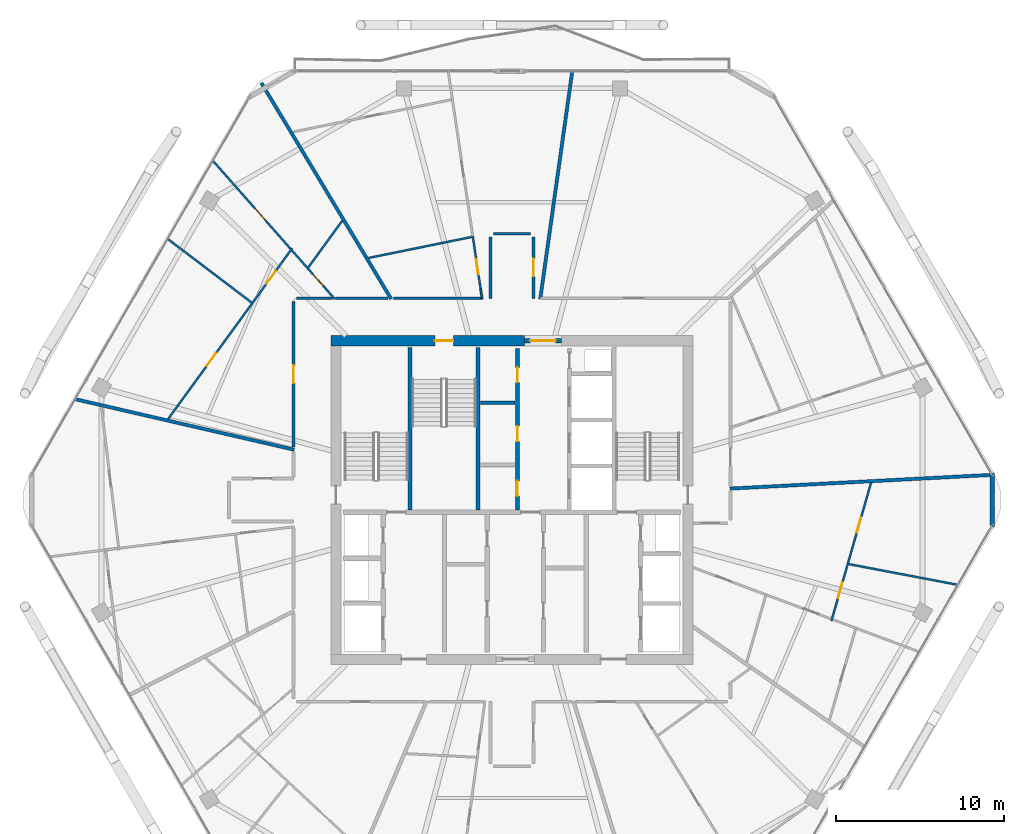
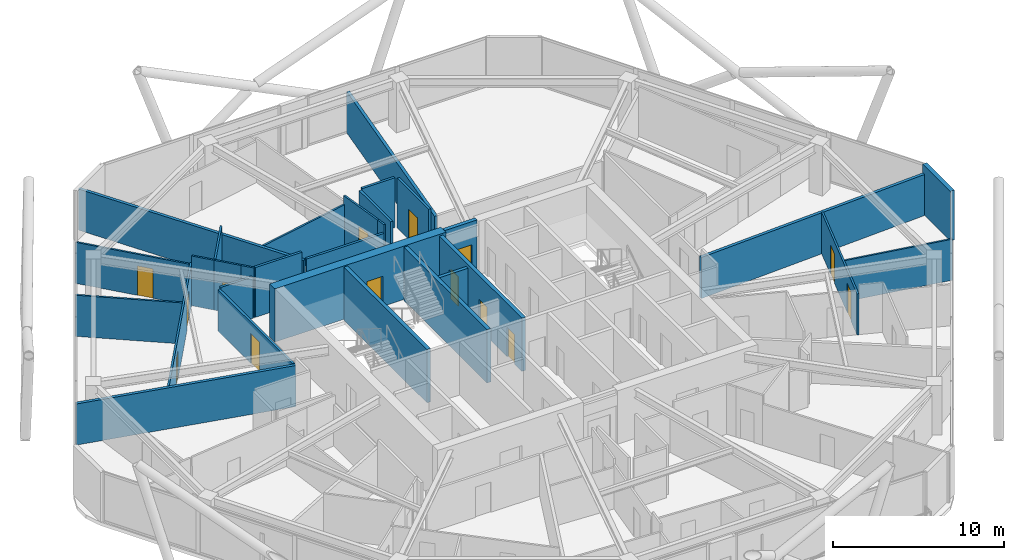
# One storey, part 23 of 28: 30 walls, 14 doors, 14 openings.
"""IFC4 building model written with IfcOpenShell, lengths in metres."""

from ifc_helpers import new_model, si_unit, direction, frame, frame_2d, origin, place, context, subcontext, project, spatial, rectangle, extrude, material, layer, layer_set, type_object, element, fill, save


model = new_model("IFC4")

# Units and contexts
model_context = context("Model", 3, precision=1e-05, world=origin(), true_north=direction((0.0, 1.0)))
body_context = subcontext(model_context, "Body", "Model", "MODEL_VIEW")
ifc_project = project(units=[si_unit("LENGTHUNIT", "METRE"), si_unit("AREAUNIT", "SQUARE_METRE"), si_unit("VOLUMEUNIT", "CUBIC_METRE"), si_unit("PLANEANGLEUNIT", "RADIAN"), si_unit("MASSUNIT", "GRAM", prefix="KILO")], contexts=[model_context])

# Site, building, storey
site_placement = place(None, origin())
site = spatial("IfcSite", under=ifc_project, at=site_placement, CompositionType="ELEMENT")
building_placement = place(site_placement, origin())
building = spatial("IfcBuilding", under=site, at=building_placement, Name="Zuhravey Tower", CompositionType="ELEMENT")
storey_placement = place(building_placement, frame((0.0, 0.0, 254.0)))
storey = spatial("IfcBuildingStorey", under=building, at=storey_placement, Name="L64", CompositionType="ELEMENT", Elevation=254.0)

# Wall, opening, door
ifc_material_1 = material(Name="Concrete C50/60", Category="concrete")
ifc_layer_1 = layer(ifc_material_1, 0.60009765625)
ifc_layer_set_1 = layer_set([ifc_layer_1], Name="Concrete C50/60")
wall_type_1 = type_object("IfcWallType", Name="Core Shear Wall 600", PredefinedType="SHEAR", material=ifc_layer_set_1)
wall_1_placement = place(storey_placement, frame((36.75, 41.5, 0.0), z_axis=(0.0, 0.0, 1.0), x_axis=(-1.0, 0.0, 0.0)))
wall_1 = element("IfcWall", 1, at=wall_1_placement, inside=storey, type_object=wall_type_1, Name="L64 North-West Core Shear Wall CW60", PredefinedType="SHEAR", context=body_context, shape_type="SweptSolid", body=[
    extrude(rectangle(XDim=11.550048828125, YDim=0.60009765625, at=frame_2d((5.77490234375, 0.0))), origin(), (0.0, 0.0, 1.0), 3.800048828125),
])
opening_1_placement = place(wall_1_placement, frame((4.25, 0.0, 0.0)))
opening_1 = element("IfcOpeningElement", 2, at=opening_1_placement, cuts=wall_1, Name="Opening STD1", PredefinedType="OPENING", context=body_context, shape_type="SweptSolid", body=[
    extrude(rectangle(XDim=1.10009765625, YDim=2.14990234375, at=frame_2d((0.550048828125, 1.074951171875))), frame((0.0, 0.31201171875, 0.0), z_axis=(0.0, -1.0, 0.0), x_axis=(1.0, 0.0, 0.0)), (0.0, 0.0, 1.0), 0.6240234375),
])
ifc_material_2 = material(Name="Galvanised fire-rated steel leaf", Category="steel")
door_type_1 = type_object("IfcDoorType", Name="Protected Stair Fire Door 1100x2150", OperationType="NOTDEFINED", PredefinedType="USERDEFINED", material=ifc_material_2)
door_1_placement = place(opening_1_placement, origin())
door_1 = element("IfcDoor", 3, at=door_1_placement, inside=storey, type_object=door_type_1, Name="L64 Stair ST3 Door", ObjectType="EXITDOOR", OperationType="SINGLE_SWING_LEFT", OverallHeight=2.14990234375, OverallWidth=1.10009765625, PredefinedType="USERDEFINED", context=body_context, shape_type="SweptSolid", body=[
    extrude(rectangle(XDim=1.10009765625, YDim=2.14990234375, at=frame_2d((0.550048828125, 1.074951171875))), frame((0.0, 0.02490234375, 0.0), z_axis=(0.0, -1.0, 0.0), x_axis=(1.0, 0.0, 0.0)), (0.0, 0.0, 1.0), 0.050048828125),
])
fill(opening_1, door_1)

ifc_material_3 = material(Name="Gypsum fire-rated stud partition")
ifc_layer_2 = layer(ifc_material_3, 0.159912109375)
ifc_layer_set_2 = layer_set([ifc_layer_2], Name="Gypsum fire-rated stud partition")
wall_type_2 = type_object("IfcWallType", Name="Corridor Fire Partition 160", PredefinedType="PARTITIONING", material=ifc_layer_set_2)
wall_2_placement = place(storey_placement, frame((22.969970703125, 43.85009765625, 0.0), z_axis=(0.0, 0.0, 1.0), x_axis=(0.0, -1.0, 0.0)))
wall_2 = element("IfcWall", 4, at=wall_2_placement, inside=storey, type_object=wall_type_2, Name="L64 IW16 Partition 024", PredefinedType="PARTITIONING", context=body_context, shape_type="SweptSolid", body=[
    extrude(rectangle(XDim=8.701416015625, YDim=0.159912109375, at=frame_2d((4.3505859375, 0.0))), origin(), (0.0, 0.0, 1.0), 2.949951171875),
])
opening_2_placement = place(wall_2_placement, frame((3.82568359375, 0.0, 0.0)))
opening_2 = element("IfcOpeningElement", 5, at=opening_2_placement, cuts=wall_2, Name="Opening APD1", PredefinedType="OPENING", context=body_context, shape_type="SweptSolid", body=[
    extrude(rectangle(XDim=1.050048828125, YDim=2.14990234375, at=frame_2d((0.52490234375, 1.074951171875))), frame((0.0, 0.092041015625, 0.0), z_axis=(0.0, -1.0, 0.0), x_axis=(1.0, 0.0, 0.0)), (0.0, 0.0, 1.0), 0.183837890625),
])
ifc_material_4 = material(Name="Solid-core oak fire-rated leaf")
door_type_2 = type_object("IfcDoorType", Name="Apartment Entrance Fire Door 1050x2150", OperationType="NOTDEFINED", PredefinedType="DOOR", material=ifc_material_4)
door_2_placement = place(opening_2_placement, frame((1.050048828125, 0.0, 0.0), z_axis=(0.0, 0.0, 1.0), x_axis=(-1.0, 0.0, 0.0)))
door_2 = element("IfcDoor", 6, at=door_2_placement, inside=storey, type_object=door_type_2, Name="L64 Door 024.1", OperationType="SINGLE_SWING_RIGHT", OverallHeight=2.14990234375, OverallWidth=1.050048828125, PredefinedType="DOOR", context=body_context, shape_type="SweptSolid", body=[
    extrude(rectangle(XDim=1.050048828125, YDim=2.14990234375, at=frame_2d((0.52490234375, 1.074951171875))), frame((0.0, 0.02490234375, 0.0), z_axis=(0.0, -1.0, 0.0), x_axis=(1.0, 0.0, 0.0)), (0.0, 0.0, 1.0), 0.050048828125),
])
fill(opening_2, door_2)

wall_3_placement = place(storey_placement, frame((37.280029296875, 44.030029296875, 0.0), z_axis=(0.0, 0.0, 1.0), x_axis=(0.0, 1.0, 0.0)))
wall_3 = element("IfcWall", 7, at=wall_3_placement, inside=storey, type_object=wall_type_2, Name="L64 IW16 Partition 060", PredefinedType="PARTITIONING", context=body_context, shape_type="SweptSolid", body=[
    extrude(rectangle(XDim=3.669921875, YDim=0.159912109375, at=frame_2d((1.8349609375, 0.0))), origin(), (0.0, 0.0, 1.0), 3.550048828125),
])
opening_3_placement = place(wall_3_placement, frame((1.31005859375, 0.0, 0.0)))
opening_3 = element("IfcOpeningElement", 8, at=opening_3_placement, cuts=wall_3, Name="Opening APD1", PredefinedType="OPENING", context=body_context, shape_type="SweptSolid", body=[
    extrude(rectangle(XDim=1.050048828125, YDim=2.14990234375, at=frame_2d((0.52490234375, 1.074951171875))), frame((0.0, 0.092041015625, 0.0), z_axis=(0.0, -1.0, 0.0), x_axis=(1.0, 0.0, 0.0)), (0.0, 0.0, 1.0), 0.183837890625),
])
door_3_placement = place(opening_3_placement, origin())
door_3 = element("IfcDoor", 9, at=door_3_placement, inside=storey, type_object=door_type_2, Name="L64 Door 060.1", OperationType="SINGLE_SWING_LEFT", OverallHeight=2.14990234375, OverallWidth=1.050048828125, PredefinedType="DOOR", context=body_context, shape_type="SweptSolid", body=[
    extrude(rectangle(XDim=1.050048828125, YDim=2.14990234375, at=frame_2d((0.52490234375, 1.074951171875))), frame((0.0, 0.02490234375, 0.0), z_axis=(0.0, -1.0, 0.0), x_axis=(1.0, 0.0, 0.0)), (0.0, 0.0, 1.0), 0.050048828125),
])
fill(opening_3, door_3)

# Walls
wall_4_placement = place(storey_placement, frame((25.303466796875, 44.030029296875, 0.0), z_axis=(0.0, 0.0, 1.0), x_axis=(-1.0, 0.0, 0.0)))
element("IfcWall", 10, at=wall_4_placement, inside=storey, type_object=wall_type_2, Name="L64 IW16 Partition 103", PredefinedType="PARTITIONING", context=body_context, shape_type="SweptSolid", body=[
    extrude(rectangle(XDim=2.153564453125, YDim=0.159912109375, at=frame_2d((1.07666015625, 0.0))), origin(), (0.0, 0.0, 1.0), 2.949951171875),
])
wall_5_placement = place(storey_placement, frame((28.6044921875, 44.030029296875, 0.0), z_axis=(0.0, 0.0, 1.0), x_axis=(-1.0, 0.0, 0.0)))
element("IfcWall", 11, at=wall_5_placement, inside=storey, type_object=wall_type_2, Name="L64 IW16 Partition 104", PredefinedType="PARTITIONING", context=body_context, shape_type="SweptSolid", body=[
    extrude(rectangle(XDim=3.11962890625, YDim=0.159912109375, at=frame_2d((1.559814453125, 0.0))), origin(), (0.0, 0.0, 1.0), 3.550048828125),
])
wall_6_placement = place(storey_placement, frame((34.719970703125, 47.699951171875, 0.0), z_axis=(0.0, 0.0, 1.0), x_axis=(0.0, -1.0, 0.0)))
element("IfcWall", 12, at=wall_6_placement, inside=storey, type_object=wall_type_2, Name="L64 IW16 Partition 120", PredefinedType="PARTITIONING", context=body_context, shape_type="SweptSolid", body=[
    extrude(rectangle(XDim=3.669921875, YDim=0.159912109375, at=frame_2d((1.8349609375, 0.0))), origin(), (0.0, 0.0, 1.0), 3.550048828125),
])
wall_7_placement = place(storey_placement, frame((37.10009765625, 47.8798828125, 0.0), z_axis=(0.0, 0.0, 1.0), x_axis=(-1.0, 0.0, 0.0)))
element("IfcWall", 13, at=wall_7_placement, inside=storey, type_object=wall_type_2, Name="L64 IW16 Partition 121", PredefinedType="PARTITIONING", context=body_context, shape_type="SweptSolid", body=[
    extrude(rectangle(XDim=2.2001953125, YDim=0.159912109375, at=frame_2d((1.10009765625, 0.0))), origin(), (0.0, 0.0, 1.0), 3.550048828125),
])
wall_8_placement = place(storey_placement, frame((34.141845703125, 44.030029296875, 0.0), z_axis=(0.0, 0.0, 1.0), x_axis=(-1.0, 0.0, 0.0)))
element("IfcWall", 14, at=wall_8_placement, inside=storey, type_object=wall_type_2, Name="L64 IW16 Partition 122", PredefinedType="PARTITIONING", context=body_context, shape_type="SweptSolid", body=[
    extrude(rectangle(XDim=5.204833984375, YDim=0.159912109375, at=frame_2d((2.6025390625, 0.0))), origin(), (0.0, 0.0, 1.0), 2.949951171875),
])
ifc_material_5 = material(Name="Precast concrete C40/50", Category="concrete")
ifc_layer_3 = layer(ifc_material_5, 0.280029296875)
ifc_layer_set_3 = layer_set([ifc_layer_3], Name="Precast concrete C40/50")
wall_type_3 = type_object("IfcWallType", Name="Crown Architectural Wall 280", PredefinedType="SOLIDWALL", material=ifc_layer_set_3)
wall_9_placement = place(storey_placement, frame((64.64501953125, 33.607421875, 0.0), z_axis=(0.0, 0.0, 1.0), x_axis=(0.0, -1.0, 0.0)))
element("IfcWall", 15, at=wall_9_placement, inside=storey, type_object=wall_type_3, Name="L64 Rounded Corner Closure Wall EW28-12", PredefinedType="SOLIDWALL", context=body_context, shape_type="SweptSolid", body=[
    extrude(rectangle(XDim=3.21484375, YDim=0.280029296875, at=frame_2d((1.607421875, 0.0))), origin(), (0.0, 0.0, 1.0), 3.550048828125),
])

# Wall, opening, door
ifc_layer_4 = layer(ifc_material_1, 0.25)
ifc_layer_set_4 = layer_set([ifc_layer_4], Name="Concrete C50/60")
wall_type_4 = type_object("IfcWallType", Name="Firefighting Shaft & Stair Wall 250", PredefinedType="SOLIDWALL", material=ifc_layer_set_4)
wall_10_placement = place(storey_placement, frame((36.760009765625, 41.5, 0.0), z_axis=(0.0, 0.0, 1.0), x_axis=(1.0, 0.0, 0.0)))
wall_10 = element("IfcWall", 16, at=wall_10_placement, inside=storey, type_object=wall_type_4, Name="L64 FW25 Shaft Wall 002", PredefinedType="SOLIDWALL", context=body_context, shape_type="SweptSolid", body=[
    extrude(rectangle(XDim=2.179931640625, YDim=0.25, at=frame_2d((1.08984375, 0.0))), origin(), (0.0, 0.0, 1.0), 3.800048828125),
])
opening_4_placement = place(wall_10_placement, frame((0.340087890625, 0.0, 0.0)))
opening_4 = element("IfcOpeningElement", 17, at=opening_4_placement, cuts=wall_10, Name="Opening FFD1", PredefinedType="OPENING", context=body_context, shape_type="SweptSolid", body=[
    extrude(rectangle(XDim=1.5, YDim=2.14990234375, at=frame_2d((0.75, 1.074951171875))), frame((0.0, 0.136962890625, 0.0), z_axis=(0.0, -1.0, 0.0), x_axis=(1.0, 0.0, 0.0)), (0.0, 0.0, 1.0), 0.27392578125),
])
door_type_3 = type_object("IfcDoorType", Name="Firefighting Lobby Double Door 1500x2150", OperationType="DOUBLE_DOOR_SINGLE_SWING", PredefinedType="DOOR", material=ifc_material_2)
door_4_placement = place(opening_4_placement, origin())
door_4 = element("IfcDoor", 18, at=door_4_placement, inside=storey, type_object=door_type_3, Name="L64 North Lift Lobby Exit Door", OperationType="DOUBLE_DOOR_SINGLE_SWING", OverallHeight=2.14990234375, OverallWidth=1.5, PredefinedType="DOOR", context=body_context, shape_type="SweptSolid", body=[
    extrude(rectangle(XDim=1.5, YDim=2.14990234375, at=frame_2d((0.75, 1.074951171875))), frame((0.0, 0.02490234375, 0.0), z_axis=(0.0, -1.0, 0.0), x_axis=(1.0, 0.0, 0.0)), (0.0, 0.0, 1.0), 0.050048828125),
])
fill(opening_4, door_4)

# Walls
for number, where, z_axis, x_axis, name in (
    (19, (29.925048828125, 31.39990234375, 0.0), (0.0, 0.0, 1.0), (0.0, 1.0, 0.0), "L64 FW25 Shaft Wall 004"),
    (20, (33.97509765625, 31.39990234375, 0.0), (0.0, 0.0, 1.0), (0.0, 1.0, 0.0), "L64 FW25 Shaft Wall 005"),
):
    element("IfcWall", number, at=place(storey_placement, frame(where, z_axis=z_axis, x_axis=x_axis)), inside=storey, type_object=wall_type_4, Name=name, PredefinedType="SOLIDWALL", context=body_context, shape_type="SweptSolid", body=[
        extrude(rectangle(XDim=9.7001953125, YDim=0.25, at=frame_2d((4.85009765625, 0.0))), origin(), (0.0, 0.0, 1.0), 3.800048828125),
    ])

# Wall, openings, doors
wall_11_placement = place(storey_placement, frame((36.324951171875, 31.39990234375, 0.0), z_axis=(0.0, 0.0, 1.0), x_axis=(0.0, 1.0, 0.0)))
wall_11 = element("IfcWall", 21, at=wall_11_placement, inside=storey, type_object=wall_type_4, Name="L64 FW25 Shaft Wall 007", PredefinedType="SOLIDWALL", context=body_context, shape_type="SweptSolid", body=[
    extrude(rectangle(XDim=9.650146484375, YDim=0.25, at=frame_2d((4.8251953125, 0.0))), origin(), (0.0, 0.0, 1.0), 3.800048828125),
])
opening_5_placement = place(wall_11_placement, frame((0.840087890625, 0.0, 0.0)))
opening_5 = element("IfcOpeningElement", 22, at=opening_5_placement, cuts=wall_11, Name="Opening RSD1", PredefinedType="OPENING", context=body_context, shape_type="SweptSolid", body=[
    extrude(rectangle(XDim=0.89990234375, YDim=2.10009765625, at=frame_2d((0.449951171875, 1.050048828125))), frame((0.0, 0.136962890625, 0.0), z_axis=(0.0, -1.0, 0.0), x_axis=(1.0, 0.0, 0.0)), (0.0, 0.0, 1.0), 0.27392578125),
])
opening_6_placement = place(wall_11_placement, frame((4.10009765625, 0.0, 0.0)))
opening_6 = element("IfcOpeningElement", 23, at=opening_6_placement, cuts=wall_11, Name="Opening RSD1", PredefinedType="OPENING", context=body_context, shape_type="SweptSolid", body=[
    extrude(rectangle(XDim=0.89990234375, YDim=2.10009765625, at=frame_2d((0.449951171875, 1.050048828125))), frame((0.0, 0.136962890625, 0.0), z_axis=(0.0, -1.0, 0.0), x_axis=(1.0, 0.0, 0.0)), (0.0, 0.0, 1.0), 0.27392578125),
])
opening_7_placement = place(wall_11_placement, frame((7.610107421875, 0.0, 0.0)))
opening_7 = element("IfcOpeningElement", 24, at=opening_7_placement, cuts=wall_11, Name="Opening RSD1", PredefinedType="OPENING", context=body_context, shape_type="SweptSolid", body=[
    extrude(rectangle(XDim=0.89990234375, YDim=2.10009765625, at=frame_2d((0.449951171875, 1.050048828125))), frame((0.0, 0.136962890625, 0.0), z_axis=(0.0, -1.0, 0.0), x_axis=(1.0, 0.0, 0.0)), (0.0, 0.0, 1.0), 0.27392578125),
])
ifc_material_6 = material(Name="Galvanised fire-rated steel access leaf", Category="steel")
door_type_4 = type_object("IfcDoorType", Name="Riser & Shaft Access Fire Door 900x2100", OperationType="NOTDEFINED", PredefinedType="DOOR", material=ifc_material_6)
door_5_placement = place(opening_5_placement, origin())
door_5 = element("IfcDoor", 25, at=door_5_placement, inside=storey, type_object=door_type_4, Name="L64 Core Staff WC Door", OperationType="SINGLE_SWING_LEFT", OverallHeight=2.10009765625, OverallWidth=0.89990234375, PredefinedType="DOOR", context=body_context, shape_type="SweptSolid", body=[
    extrude(rectangle(XDim=0.89990234375, YDim=2.10009765625, at=frame_2d((0.449951171875, 1.050048828125))), frame((0.0, 0.02490234375, 0.0), z_axis=(0.0, -1.0, 0.0), x_axis=(1.0, 0.0, 0.0)), (0.0, 0.0, 1.0), 0.050048828125),
])
fill(opening_5, door_5)
door_6_placement = place(opening_6_placement, origin())
door_6 = element("IfcDoor", 26, at=door_6_placement, inside=storey, type_object=door_type_4, Name="L64 IT and Comms Room Door", OperationType="SINGLE_SWING_RIGHT", OverallHeight=2.10009765625, OverallWidth=0.89990234375, PredefinedType="DOOR", context=body_context, shape_type="SweptSolid", body=[
    extrude(rectangle(XDim=0.89990234375, YDim=2.10009765625, at=frame_2d((0.449951171875, 1.050048828125))), frame((0.0, 0.02490234375, 0.0), z_axis=(0.0, -1.0, 0.0), x_axis=(1.0, 0.0, 0.0)), (0.0, 0.0, 1.0), 0.050048828125),
])
fill(opening_6, door_6)
door_7_placement = place(opening_7_placement, origin())
door_7 = element("IfcDoor", 27, at=door_7_placement, inside=storey, type_object=door_type_4, Name="L64 Janitor Linen Store Door", OperationType="SINGLE_SWING_LEFT", OverallHeight=2.10009765625, OverallWidth=0.89990234375, PredefinedType="DOOR", context=body_context, shape_type="SweptSolid", body=[
    extrude(rectangle(XDim=0.89990234375, YDim=2.10009765625, at=frame_2d((0.449951171875, 1.050048828125))), frame((0.0, 0.02490234375, 0.0), z_axis=(0.0, -1.0, 0.0), x_axis=(1.0, 0.0, 0.0)), (0.0, 0.0, 1.0), 0.050048828125),
])
fill(opening_7, door_7)

# Walls
ifc_material_7 = material(Name="Gypsum double-stud party assembly")
ifc_layer_5 = layer(ifc_material_7, 0.199951171875)
ifc_layer_set_5 = layer_set([ifc_layer_5], Name="Gypsum double-stud party assembly")
wall_type_5 = type_object("IfcWallType", Name="Inter-Tenancy Party Wall 200", PredefinedType="PARTITIONING", material=ifc_layer_set_5)
wall_12_placement = place(storey_placement, frame((28.795654296875, 43.989990234375, 0.0), z_axis=(0.0, 0.0, 1.0), x_axis=(-0.515040294727, 0.857165966898, 0.0)))
element("IfcWall", 28, at=wall_12_placement, inside=storey, type_object=wall_type_5, Name="L64 IW20 Partition 067", PredefinedType="PARTITIONING", context=body_context, shape_type="SweptSolid", body=[
    extrude(rectangle(XDim=15.02978515625, YDim=0.199951171875, at=frame_2d((7.514892578125, 0.0))), origin(), (0.0, 0.0, 1.0), 2.929931640625),
])
wall_13_placement = place(storey_placement, frame((23.010009765625, 34.9990234375, 0.0), z_axis=(0.0, 0.0, 1.0), x_axis=(-0.974372460803, 0.224940675799, 0.0)))
element("IfcWall", 29, at=wall_13_placement, inside=storey, type_object=wall_type_5, Name="L64 IW20 Partition 071", PredefinedType="PARTITIONING", context=body_context, shape_type="SweptSolid", body=[
    extrude(rectangle(XDim=13.39990234375, YDim=0.199951171875, at=frame_2d((6.699951171875, 0.0))), origin(), (0.0, 0.0, 1.0), 2.929931640625),
])
wall_14_placement = place(storey_placement, frame((48.989990234375, 32.680908203125, 0.0), z_axis=(0.0, 0.0, 1.0), x_axis=(0.998629458789, 0.052337405734, 0.0)))
element("IfcWall", 30, at=wall_14_placement, inside=storey, type_object=wall_type_5, Name="L64 IW20 Partition 094", PredefinedType="PARTITIONING", context=body_context, shape_type="SweptSolid", body=[
    extrude(rectangle(XDim=15.682861328125, YDim=0.199951171875, at=frame_2d((7.84130859375, 0.0))), origin(), (0.0, 0.0, 1.0), 2.929931640625),
])
wall_15_placement = place(storey_placement, frame((37.68505859375, 43.989990234375, 0.0), z_axis=(0.0, 0.0, 1.0), x_axis=(0.139176780606, 0.990267551594, 0.0)))
element("IfcWall", 31, at=wall_15_placement, inside=storey, type_object=wall_type_5, Name="L64 IW20 Partition 099", PredefinedType="PARTITIONING", context=body_context, shape_type="SweptSolid", body=[
    extrude(rectangle(XDim=13.70703125, YDim=0.199951171875, at=frame_2d((6.853515625, 0.0))), origin(), (0.0, 0.0, 1.0), 2.929931640625),
])
ifc_material_8 = material(Name="Gypsum acoustic stud assembly")
ifc_layer_6 = layer(ifc_material_8, 0.219970703125)
ifc_layer_set_6 = layer_set([ifc_layer_6], Name="Gypsum acoustic stud assembly")
wall_type_6 = type_object("IfcWallType", Name="School Acoustic Compartment Wall 220", PredefinedType="PARTITIONING", material=ifc_layer_set_6)
wall_16_placement = place(storey_placement, frame((34.10791015625, 37.800048828125, 0.0), z_axis=(0.0, 0.0, 1.0), x_axis=(1.0, 0.0, 0.0)))
element("IfcWall", 32, at=wall_16_placement, inside=storey, type_object=wall_type_6, Name="L64 IW22 Partition 062", PredefinedType="PARTITIONING", context=body_context, shape_type="SweptSolid", body=[
    extrude(rectangle(XDim=2.083984375, YDim=0.219970703125, at=frame_2d((1.0419921875, 0.0))), origin(), (0.0, 0.0, 1.0), 3.550048828125),
])

# Wall, openings, doors
ifc_material_9 = material(Name="Gypsum metal-stud partition")
ifc_layer_7 = layer(ifc_material_9, 0.1201171875)
ifc_layer_set_7 = layer_set([ifc_layer_7], Name="Gypsum metal-stud partition")
wall_type_7 = type_object("IfcWallType", Name="Unit Internal Partition 120", PredefinedType="PARTITIONING", material=ifc_layer_set_7)
wall_17_placement = place(storey_placement, frame((22.892822265625, 47.018310546875, 0.0), z_axis=(0.0, 0.0, 1.0), x_axis=(-0.587777700705, -0.80902248087, 0.0)))
wall_17 = element("IfcWall", 33, at=wall_17_placement, inside=storey, type_object=wall_type_7, Name="L64 IW12 Partition 020", PredefinedType="PARTITIONING", context=body_context, shape_type="SweptSolid", body=[
    extrude(rectangle(XDim=12.60302734375, YDim=0.1201171875, at=frame_2d((6.301513671875, 0.0))), origin(), (0.0, 0.0, 1.0), 2.949951171875),
])
opening_8_placement = place(wall_17_placement, frame((1.66845703125, 0.0, 0.0)))
opening_8 = element("IfcOpeningElement", 34, at=opening_8_placement, cuts=wall_17, Name="Opening IND1", PredefinedType="OPENING", context=body_context, shape_type="SweptSolid", body=[
    extrude(rectangle(XDim=0.949951171875, YDim=2.10009765625, at=frame_2d((0.47509765625, 1.050048828125))), frame((0.0, 0.072021484375, 0.0), z_axis=(0.0, -1.0, 0.0), x_axis=(1.0, 0.0, 0.0)), (0.0, 0.0, 1.0), 0.14404296875),
])
opening_9_placement = place(wall_17_placement, frame((7.72998046875, 0.0, 0.0)))
opening_9 = element("IfcOpeningElement", 35, at=opening_9_placement, cuts=wall_17, Name="Opening IND1", PredefinedType="OPENING", context=body_context, shape_type="SweptSolid", body=[
    extrude(rectangle(XDim=0.949951171875, YDim=2.10009765625, at=frame_2d((0.47509765625, 1.050048828125))), frame((0.0, 0.072021484375, 0.0), z_axis=(0.0, -1.0, 0.0), x_axis=(1.0, 0.0, 0.0)), (0.0, 0.0, 1.0), 0.14404296875),
])
ifc_material_10 = material(Name="Painted engineered timber leaf", Category="wood")
door_type_5 = type_object("IfcDoorType", Name="Internal Room & Bedroom Door 950x2100", OperationType="NOTDEFINED", PredefinedType="DOOR", material=ifc_material_10)
door_8_placement = place(opening_8_placement, frame((0.949951171875, 0.0, 0.0), z_axis=(0.0, 0.0, 1.0), x_axis=(-1.0, 0.0, 0.0)))
door_8 = element("IfcDoor", 36, at=door_8_placement, inside=storey, type_object=door_type_5, Name="Apartment L64-01 Family Study Door", OperationType="SINGLE_SWING_RIGHT", OverallHeight=2.10009765625, OverallWidth=0.949951171875, PredefinedType="DOOR", context=body_context, shape_type="SweptSolid", body=[
    extrude(rectangle(XDim=0.949951171875, YDim=2.10009765625, at=frame_2d((0.47509765625, 1.050048828125))), frame((0.0, 0.02490234375, 0.0), z_axis=(0.0, -1.0, 0.0), x_axis=(1.0, 0.0, 0.0)), (0.0, 0.0, 1.0), 0.050048828125),
])
fill(opening_8, door_8)
door_9_placement = place(opening_9_placement, frame((0.949951171875, 0.0, 0.0), z_axis=(0.0, 0.0, 1.0), x_axis=(-1.0, 0.0, 0.0)))
door_9 = element("IfcDoor", 37, at=door_9_placement, inside=storey, type_object=door_type_5, Name="Apartment L64-01 Dining Room Door", OperationType="SINGLE_SWING_LEFT", OverallHeight=2.10009765625, OverallWidth=0.949951171875, PredefinedType="DOOR", context=body_context, shape_type="SweptSolid", body=[
    extrude(rectangle(XDim=0.949951171875, YDim=2.10009765625, at=frame_2d((0.47509765625, 1.050048828125))), frame((0.0, 0.02490234375, 0.0), z_axis=(0.0, -1.0, 0.0), x_axis=(1.0, 0.0, 0.0)), (0.0, 0.0, 1.0), 0.050048828125),
])
fill(opening_9, door_9)

# Wall, opening, door
wall_18_placement = place(storey_placement, frame((24.8916015625, 44.60009765625, 0.0), z_axis=(0.0, 0.0, 1.0), x_axis=(-0.661313728026, 0.750109427433, 0.0)))
wall_18 = element("IfcWall", 38, at=wall_18_placement, inside=storey, type_object=wall_type_7, Name="L64 IW12 Partition 021", PredefinedType="PARTITIONING", context=body_context, shape_type="SweptSolid", body=[
    extrude(rectangle(XDim=1.65234375, YDim=0.1201171875, at=frame_2d((0.826171875, 0.0))), origin(), (0.0, 0.0, 1.0), 3.550048828125),
])
opening_10_placement = place(wall_18_placement, frame((0.244140625, 0.0, 0.0)))
opening_10 = element("IfcOpeningElement", 39, at=opening_10_placement, cuts=wall_18, Name="Opening WCD1", PredefinedType="OPENING", context=body_context, shape_type="SweptSolid", body=[
    extrude(rectangle(XDim=0.89990234375, YDim=2.10009765625, at=frame_2d((0.449951171875, 1.050048828125))), frame((0.0, 0.072021484375, 0.0), z_axis=(0.0, -1.0, 0.0), x_axis=(1.0, 0.0, 0.0)), (0.0, 0.0, 1.0), 0.14404296875),
])
ifc_material_11 = material(Name="Moisture-resistant timber leaf", Category="wood")
door_type_6 = type_object("IfcDoorType", Name="Bathroom & WC Internal Door 900x2100", OperationType="NOTDEFINED", PredefinedType="DOOR", material=ifc_material_11)
door_10_placement = place(opening_10_placement, frame((0.89990234375, 0.0, 0.0), z_axis=(0.0, 0.0, 1.0), x_axis=(-1.0, 0.0, 0.0)))
door_10 = element("IfcDoor", 40, at=door_10_placement, inside=storey, type_object=door_type_6, Name="Apartment L64-01 Bathroom Door", OperationType="SINGLE_SWING_RIGHT", OverallHeight=2.10009765625, OverallWidth=0.89990234375, PredefinedType="DOOR", context=body_context, shape_type="SweptSolid", body=[
    extrude(rectangle(XDim=0.89990234375, YDim=2.10009765625, at=frame_2d((0.449951171875, 1.050048828125))), frame((0.0, 0.02490234375, 0.0), z_axis=(0.0, -1.0, 0.0), x_axis=(1.0, 0.0, 0.0)), (0.0, 0.0, 1.0), 0.050048828125),
])
fill(opening_10, door_10)

# Wall
wall_19_placement = place(storey_placement, frame((23.798583984375, 45.839599609375, 0.0), z_axis=(0.0, 0.0, 1.0), x_axis=(-0.661308126209, 0.750114366087, 0.0)))
element("IfcWall", 41, at=wall_19_placement, inside=storey, type_object=wall_type_7, Name="L64 IW12 Partition 022", PredefinedType="PARTITIONING", context=body_context, shape_type="SweptSolid", body=[
    extrude(rectangle(XDim=1.39111328125, YDim=0.1201171875, at=frame_2d((0.695556640625, 0.0))), origin(), (0.0, 0.0, 1.0), 3.550048828125),
])

# Wall, opening, door
wall_20_placement = place(storey_placement, frame((22.78662109375, 46.987548828125, 0.0), z_axis=(0.0, 0.0, 1.0), x_axis=(-0.661313472819, 0.750109652429, 0.0)))
wall_20 = element("IfcWall", 42, at=wall_20_placement, inside=storey, type_object=wall_type_7, Name="L64 IW12 Partition 023", PredefinedType="PARTITIONING", context=body_context, shape_type="SweptSolid", body=[
    extrude(rectangle(XDim=6.997314453125, YDim=0.1201171875, at=frame_2d((3.49853515625, 0.0))), origin(), (0.0, 0.0, 1.0), 2.929931640625),
])
opening_11_placement = place(wall_20_placement, frame((2.23291015625, 0.0, 0.0)))
opening_11 = element("IfcOpeningElement", 43, at=opening_11_placement, cuts=wall_20, Name="Opening IND1", PredefinedType="OPENING", context=body_context, shape_type="SweptSolid", body=[
    extrude(rectangle(XDim=0.949951171875, YDim=2.10009765625, at=frame_2d((0.47509765625, 1.050048828125))), frame((0.0, 0.072021484375, 0.0), z_axis=(0.0, -1.0, 0.0), x_axis=(1.0, 0.0, 0.0)), (0.0, 0.0, 1.0), 0.14404296875),
])
door_11_placement = place(opening_11_placement, frame((0.949951171875, 0.0, 0.0), z_axis=(0.0, 0.0, 1.0), x_axis=(-1.0, 0.0, 0.0)))
door_11 = element("IfcDoor", 44, at=door_11_placement, inside=storey, type_object=door_type_5, Name="Apartment L64-01 Bedroom 1 Door", OperationType="SINGLE_SWING_LEFT", OverallHeight=2.10009765625, OverallWidth=0.949951171875, PredefinedType="DOOR", context=body_context, shape_type="SweptSolid", body=[
    extrude(rectangle(XDim=0.949951171875, YDim=2.10009765625, at=frame_2d((0.47509765625, 1.050048828125))), frame((0.0, 0.02490234375, 0.0), z_axis=(0.0, -1.0, 0.0), x_axis=(1.0, 0.0, 0.0)), (0.0, 0.0, 1.0), 0.050048828125),
])
fill(opening_11, door_11)

# Wall, openings, doors
wall_21_placement = place(storey_placement, frame((55.05126953125, 24.793212890625, 0.0), z_axis=(0.0, 0.0, 1.0), x_axis=(0.275631107549, 0.961263487578, 0.0)))
wall_21 = element("IfcWall", 45, at=wall_21_placement, inside=storey, type_object=wall_type_7, Name="L64 IW12 Partition 046", PredefinedType="PARTITIONING", context=body_context, shape_type="SweptSolid", body=[
    extrude(rectangle(XDim=8.573974609375, YDim=0.1201171875, at=frame_2d((4.287109375, 0.0))), origin(), (0.0, 0.0, 1.0), 2.949951171875),
])
opening_12_placement = place(wall_21_placement, frame((1.41259765625, 0.0, 0.0)))
opening_12 = element("IfcOpeningElement", 46, at=opening_12_placement, cuts=wall_21, Name="Opening IND1", PredefinedType="OPENING", context=body_context, shape_type="SweptSolid", body=[
    extrude(rectangle(XDim=0.949951171875, YDim=2.10009765625, at=frame_2d((0.47509765625, 1.050048828125))), frame((0.0, 0.072021484375, 0.0), z_axis=(0.0, -1.0, 0.0), x_axis=(1.0, 0.0, 0.0)), (0.0, 0.0, 1.0), 0.14404296875),
])
opening_13_placement = place(wall_21_placement, frame((5.458984375, 0.0, 0.0)))
opening_13 = element("IfcOpeningElement", 47, at=opening_13_placement, cuts=wall_21, Name="Opening IND1", PredefinedType="OPENING", context=body_context, shape_type="SweptSolid", body=[
    extrude(rectangle(XDim=0.949951171875, YDim=2.10009765625, at=frame_2d((0.47509765625, 1.050048828125))), frame((0.0, 0.072021484375, 0.0), z_axis=(0.0, -1.0, 0.0), x_axis=(1.0, 0.0, 0.0)), (0.0, 0.0, 1.0), 0.14404296875),
])
door_12_placement = place(opening_12_placement, frame((0.949951171875, 0.0, 0.0), z_axis=(0.0, 0.0, 1.0), x_axis=(-1.0, 0.0, 0.0)))
door_12 = element("IfcDoor", 48, at=door_12_placement, inside=storey, type_object=door_type_5, Name="Apartment L64-06 Family Study Door", OperationType="SINGLE_SWING_LEFT", OverallHeight=2.10009765625, OverallWidth=0.949951171875, PredefinedType="DOOR", context=body_context, shape_type="SweptSolid", body=[
    extrude(rectangle(XDim=0.949951171875, YDim=2.10009765625, at=frame_2d((0.47509765625, 1.050048828125))), frame((0.0, 0.02490234375, 0.0), z_axis=(0.0, -1.0, 0.0), x_axis=(1.0, 0.0, 0.0)), (0.0, 0.0, 1.0), 0.050048828125),
])
fill(opening_12, door_12)
door_13_placement = place(opening_13_placement, frame((0.949951171875, 0.0, 0.0), z_axis=(0.0, 0.0, 1.0), x_axis=(-1.0, 0.0, 0.0)))
door_13 = element("IfcDoor", 49, at=door_13_placement, inside=storey, type_object=door_type_5, Name="Apartment L64-06 Dining Room Door", OperationType="SINGLE_SWING_RIGHT", OverallHeight=2.10009765625, OverallWidth=0.949951171875, PredefinedType="DOOR", context=body_context, shape_type="SweptSolid", body=[
    extrude(rectangle(XDim=0.949951171875, YDim=2.10009765625, at=frame_2d((0.47509765625, 1.050048828125))), frame((0.0, 0.02490234375, 0.0), z_axis=(0.0, -1.0, 0.0), x_axis=(1.0, 0.0, 0.0)), (0.0, 0.0, 1.0), 0.050048828125),
])
fill(opening_13, door_13)

# Wall, opening, door
wall_22_placement = place(storey_placement, frame((34.1259765625, 44.60009765625, 0.0), z_axis=(0.0, 0.0, 1.0), x_axis=(-0.147116797121, 0.989119127307, 0.0)))
wall_22 = element("IfcWall", 50, at=wall_22_placement, inside=storey, type_object=wall_type_7, Name="L64 IW12 Partition 057", PredefinedType="PARTITIONING", context=body_context, shape_type="SweptSolid", body=[
    extrude(rectangle(XDim=3.161376953125, YDim=0.1201171875, at=frame_2d((1.58056640625, 0.0))), origin(), (0.0, 0.0, 1.0), 3.550048828125),
])
opening_14_placement = place(wall_22_placement, frame((0.877685546875, 0.0, 0.0)))
opening_14 = element("IfcOpeningElement", 51, at=opening_14_placement, cuts=wall_22, Name="Opening WCD1", PredefinedType="OPENING", context=body_context, shape_type="SweptSolid", body=[
    extrude(rectangle(XDim=0.89990234375, YDim=2.10009765625, at=frame_2d((0.449951171875, 1.050048828125))), frame((0.0, 0.072021484375, 0.0), z_axis=(0.0, -1.0, 0.0), x_axis=(1.0, 0.0, 0.0)), (0.0, 0.0, 1.0), 0.14404296875),
])
door_14_placement = place(opening_14_placement, origin())
door_14 = element("IfcDoor", 52, at=door_14_placement, inside=storey, type_object=door_type_6, Name="Apartment L64-09 Bathroom Door", OperationType="SINGLE_SWING_RIGHT", OverallHeight=2.10009765625, OverallWidth=0.89990234375, PredefinedType="DOOR", context=body_context, shape_type="SweptSolid", body=[
    extrude(rectangle(XDim=0.89990234375, YDim=2.10009765625, at=frame_2d((0.449951171875, 1.050048828125))), frame((0.0, 0.02490234375, 0.0), z_axis=(0.0, -1.0, 0.0), x_axis=(1.0, 0.0, 0.0)), (0.0, 0.0, 1.0), 0.050048828125),
])
fill(opening_14, door_14)

# Walls
wall_23_placement = place(storey_placement, frame((20.4599609375, 43.785400390625, 0.0), z_axis=(0.0, 0.0, 1.0), x_axis=(-0.796803997683, 0.604237858196, 0.0)))
element("IfcWall", 53, at=wall_23_placement, inside=storey, type_object=wall_type_7, Name="L64 IW12 Partition 068", PredefinedType="PARTITIONING", context=body_context, shape_type="SweptSolid", body=[
    extrude(rectangle(XDim=6.292236328125, YDim=0.1201171875, at=frame_2d((3.14599609375, 0.0))), origin(), (0.0, 0.0, 1.0), 2.929931640625),
])
wall_24_placement = place(storey_placement, frame((25.433837890625, 43.985107421875, 0.0), z_axis=(0.0, 0.0, 1.0), x_axis=(-0.661345837027, 0.750081118178, 0.0)))
element("IfcWall", 54, at=wall_24_placement, inside=storey, type_object=wall_type_7, Name="L64 IW12 Partition 069", PredefinedType="PARTITIONING", context=body_context, shape_type="SweptSolid", body=[
    extrude(rectangle(XDim=0.81982421875, YDim=0.1201171875, at=frame_2d((0.409912109375, 0.0))), origin(), (0.0, 0.0, 1.0), 3.550048828125),
])
wall_25_placement = place(storey_placement, frame((25.87060546875, 48.648681640625, 0.0), z_axis=(0.0, 0.0, 1.0), x_axis=(-0.587777610252, -0.809022546587, 0.0)))
element("IfcWall", 55, at=wall_25_placement, inside=storey, type_object=wall_type_7, Name="L64 IW12 Partition 070", PredefinedType="PARTITIONING", context=body_context, shape_type="SweptSolid", body=[
    extrude(rectangle(XDim=3.42626953125, YDim=0.1201171875, at=frame_2d((1.713134765625, 0.0))), origin(), (0.0, 0.0, 1.0), 3.550048828125),
])
wall_26_placement = place(storey_placement, frame((56.09228515625, 28.17724609375, 0.0), z_axis=(0.0, 0.0, 1.0), x_axis=(0.982380617182, -0.18689120628, 0.0)))
element("IfcWall", 56, at=wall_26_placement, inside=storey, type_object=wall_type_7, Name="L64 IW12 Partition 091", PredefinedType="PARTITIONING", context=body_context, shape_type="SweptSolid", body=[
    extrude(rectangle(XDim=6.653076171875, YDim=0.1201171875, at=frame_2d((3.32666015625, 0.0))), origin(), (0.0, 0.0, 1.0), 2.929931640625),
])
wall_27_placement = place(storey_placement, frame((34.21728515625, 43.9853515625, 0.0), z_axis=(0.0, 0.0, 1.0), x_axis=(-0.146918808398, 0.989148554939, 0.0)))
element("IfcWall", 57, at=wall_27_placement, inside=storey, type_object=wall_type_7, Name="L64 IW12 Partition 100", PredefinedType="PARTITIONING", context=body_context, shape_type="SweptSolid", body=[
    extrude(rectangle(XDim=0.62158203125, YDim=0.1201171875, at=frame_2d((0.310791015625, 0.0))), origin(), (0.0, 0.0, 1.0), 3.550048828125),
])
wall_28_placement = place(storey_placement, frame((33.59765625, 47.688720703125, 0.0), z_axis=(0.0, 0.0, 1.0), x_axis=(-0.97992106991, -0.199385798759, 0.0)))
element("IfcWall", 58, at=wall_28_placement, inside=storey, type_object=wall_type_7, Name="L64 IW12 Partition 102", PredefinedType="PARTITIONING", context=body_context, shape_type="SweptSolid", body=[
    extrude(rectangle(XDim=6.27294921875, YDim=0.1201171875, at=frame_2d((3.136474609375, 0.0))), origin(), (0.0, 0.0, 1.0), 2.949951171875),
])

save(model, "model.ifc")
